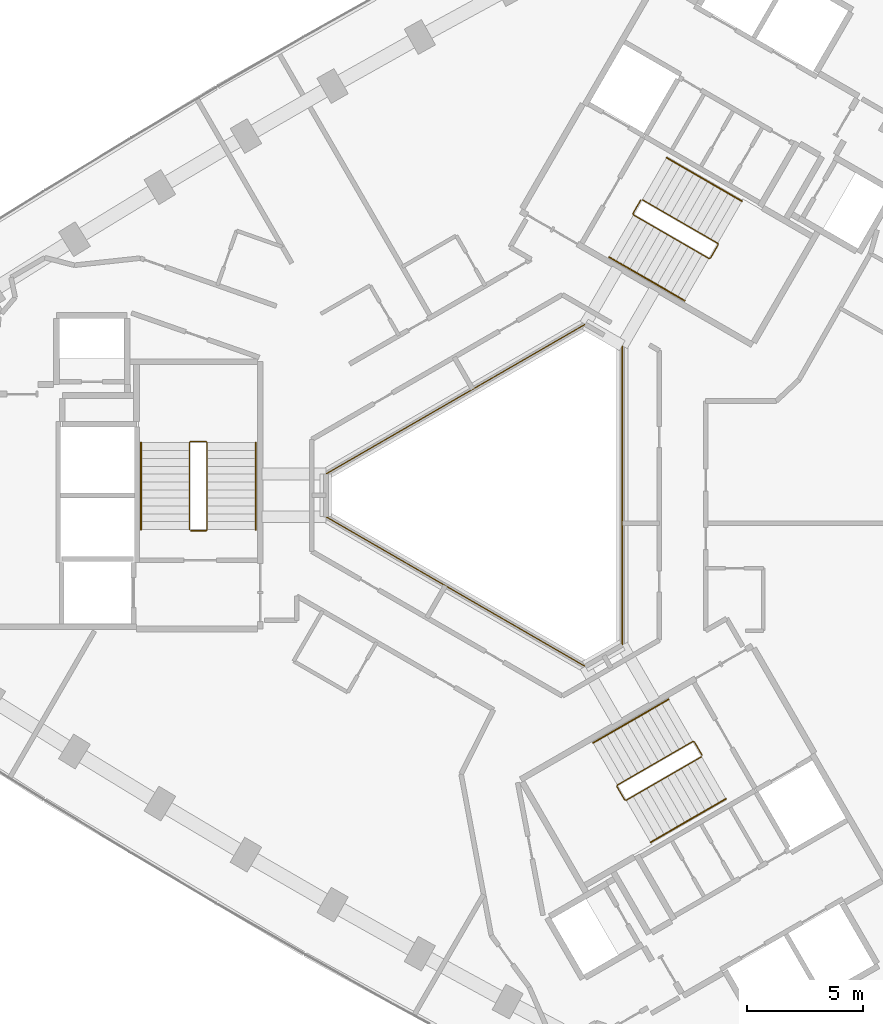
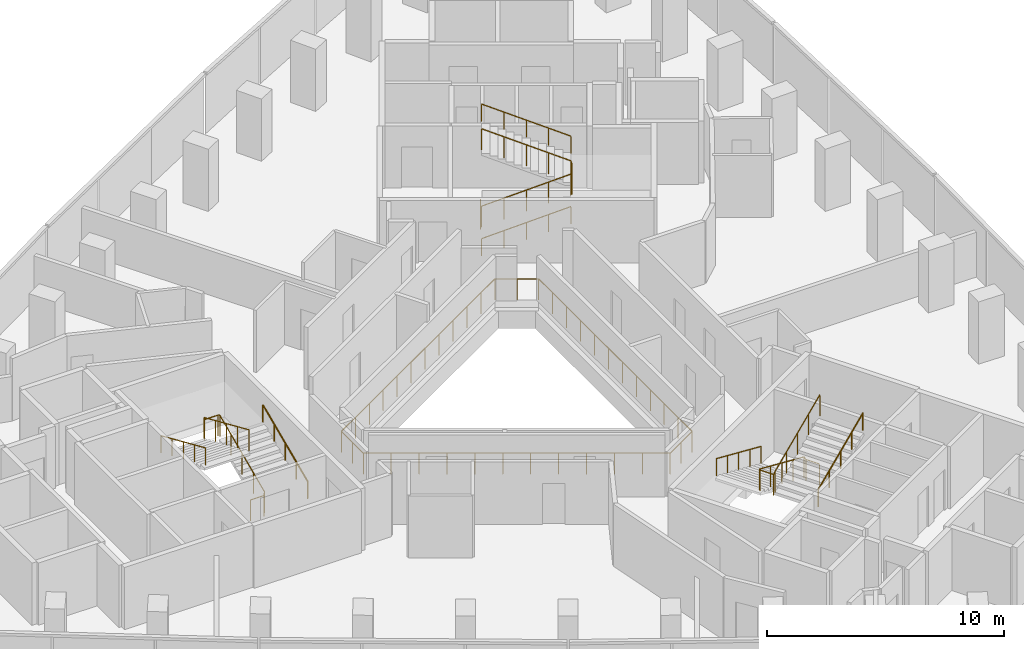
# One storey, part 12 of 12: 10 railings.
"""IFC4 building model written with IfcOpenShell, lengths in metres."""

from ifc_helpers import new_model, si_unit, direction, frame, origin, origin_2d, place, context, subcontext, project, spatial, circle, extrude, material, type_object, element, save


model = new_model("IFC4")

# Units and contexts
model_context = context("Model", 3, precision=1e-05, world=origin(), true_north=direction((0.0, 1.0)))
body_context = subcontext(model_context, "Body", "Model", "MODEL_VIEW")
ifc_project = project(units=[si_unit("LENGTHUNIT", "METRE"), si_unit("AREAUNIT", "SQUARE_METRE"), si_unit("VOLUMEUNIT", "CUBIC_METRE"), si_unit("PLANEANGLEUNIT", "RADIAN"), si_unit("MASSUNIT", "GRAM", prefix="KILO")], contexts=[model_context])

# Site, building, storey
site_placement = place(None, origin())
site = spatial("IfcSite", under=ifc_project, at=site_placement, CompositionType="ELEMENT")
building_placement = place(site_placement, origin())
building = spatial("IfcBuilding", under=site, at=building_placement, Name="Tamra Quay Hotel Tower", CompositionType="ELEMENT")
storey_placement = place(building_placement, frame((0.0, 0.0, 154.0)))
storey = spatial("IfcBuildingStorey", under=building, at=storey_placement, Name="L38", CompositionType="ELEMENT", Elevation=154.0)

# Railings
ifc_material_1 = material(Name="Guard atrium edge 1100")
railing_type_1 = type_object("IfcRailingType", Name="Guard atrium edge 1100", PredefinedType="GUARDRAIL", material=ifc_material_1)
railing_1_placement = place(storey_placement, frame((4.800048828125, -6.466064453125, 0.0)))
element("IfcRailing", 1, at=railing_1_placement, inside=storey, type_object=railing_type_1, Name="G-A", PredefinedType="GUARDRAIL", context=body_context, shape_type="SweptSolid", body=[
    extrude(circle(Radius=0.02392578125, at=origin_2d()), frame((0.0, 0.0, 1.076171875), z_axis=(-0.86602275259, -0.500004591975, 0.0), x_axis=(0.500004591975, -0.86602275259, 0.0)), (0.0, 0.0, 1.0), 1.84765625),
    extrude(circle(Radius=0.02392578125, at=origin_2d()), frame((-1.60009765625, -0.923828125, 1.076171875), z_axis=(-0.86604129137, 0.499972480886, 0.0), x_axis=(-0.499972480886, -0.86604129137, 0.0)), (0.0, 0.0, 1.0), 12.932373046875),
    extrude(circle(Radius=0.02392578125, at=origin_2d()), frame((-12.800048828125, 5.5419921875, 1.076171875), z_axis=(0.0, 1.0, 0.0), x_axis=(-1.0, 0.0, 0.0)), (0.0, 0.0, 1.0), 1.84814453125),
    extrude(circle(Radius=0.02392578125, at=origin_2d()), frame((-12.800048828125, 7.39013671875, 1.076171875), z_axis=(0.86604129137, 0.499972480886, 0.0), x_axis=(-0.499972480886, 0.86604129137, 0.0)), (0.0, 0.0, 1.0), 12.932373046875),
    extrude(circle(Radius=0.02392578125, at=origin_2d()), frame((-1.60009765625, 13.85595703125, 1.076171875), z_axis=(0.86602275259, -0.500004591975, 0.0), x_axis=(0.500004591975, 0.86602275259, 0.0)), (0.0, 0.0, 1.0), 1.84765625),
    extrude(circle(Radius=0.02392578125, at=origin_2d()), frame((0.0, 12.93212890625, 1.076171875), z_axis=(0.0, -1.0, 0.0), x_axis=(1.0, 0.0, 0.0)), (0.0, 0.0, 1.0), 12.93212890625),
    extrude(circle(Radius=0.02099609375, at=origin_2d()), origin(), (0.0, 0.0, 1.0), 1.052001953125),
    extrude(circle(Radius=0.02099609375, at=origin_2d()), frame((-0.800048828125, -0.4619140625, 0.0)), (0.0, 0.0, 1.0), 1.052001953125),
    extrude(circle(Radius=0.02099609375, at=origin_2d()), frame((-1.60009765625, -0.923828125, 0.0)), (0.0, 0.0, 1.0), 1.052001953125),
    extrude(circle(Radius=0.02099609375, at=origin_2d()), frame((-2.6181640625, -0.3359375, 0.0)), (0.0, 0.0, 1.0), 1.052001953125),
    extrude(circle(Radius=0.02099609375, at=origin_2d()), frame((-3.636474609375, 0.251708984375, 0.0)), (0.0, 0.0, 1.0), 1.052001953125),
    extrude(circle(Radius=0.02099609375, at=origin_2d()), frame((-4.654541015625, 0.839599609375, 0.0)), (0.0, 0.0, 1.0), 1.052001953125),
    extrude(circle(Radius=0.02099609375, at=origin_2d()), frame((-5.6728515625, 1.427490234375, 0.0)), (0.0, 0.0, 1.0), 1.052001953125),
    extrude(circle(Radius=0.02099609375, at=origin_2d()), frame((-6.69091796875, 2.01513671875, 0.0)), (0.0, 0.0, 1.0), 1.052001953125),
    extrude(circle(Radius=0.02099609375, at=origin_2d()), frame((-7.709228515625, 2.60302734375, 0.0)), (0.0, 0.0, 1.0), 1.052001953125),
    extrude(circle(Radius=0.02099609375, at=origin_2d()), frame((-8.727294921875, 3.190673828125, 0.0)), (0.0, 0.0, 1.0), 1.052001953125),
    extrude(circle(Radius=0.02099609375, at=origin_2d()), frame((-9.74560546875, 3.778564453125, 0.0)), (0.0, 0.0, 1.0), 1.052001953125),
    extrude(circle(Radius=0.02099609375, at=origin_2d()), frame((-10.763671875, 4.366455078125, 0.0)), (0.0, 0.0, 1.0), 1.052001953125),
    extrude(circle(Radius=0.02099609375, at=origin_2d()), frame((-11.781982421875, 4.9541015625, 0.0)), (0.0, 0.0, 1.0), 1.052001953125),
    extrude(circle(Radius=0.02099609375, at=origin_2d()), frame((-12.800048828125, 5.5419921875, 0.0)), (0.0, 0.0, 1.0), 1.052001953125),
    extrude(circle(Radius=0.02099609375, at=origin_2d()), frame((-12.800048828125, 6.466064453125, 0.0)), (0.0, 0.0, 1.0), 1.052001953125),
    extrude(circle(Radius=0.02099609375, at=origin_2d()), frame((-12.800048828125, 7.39013671875, 0.0)), (0.0, 0.0, 1.0), 1.052001953125),
    extrude(circle(Radius=0.02099609375, at=origin_2d()), frame((-11.781982421875, 7.97802734375, 0.0)), (0.0, 0.0, 1.0), 1.052001953125),
    extrude(circle(Radius=0.02099609375, at=origin_2d()), frame((-10.763671875, 8.565673828125, 0.0)), (0.0, 0.0, 1.0), 1.052001953125),
    extrude(circle(Radius=0.02099609375, at=origin_2d()), frame((-9.74560546875, 9.153564453125, 0.0)), (0.0, 0.0, 1.0), 1.052001953125),
    extrude(circle(Radius=0.02099609375, at=origin_2d()), frame((-8.727294921875, 9.741455078125, 0.0)), (0.0, 0.0, 1.0), 1.052001953125),
    extrude(circle(Radius=0.02099609375, at=origin_2d()), frame((-7.709228515625, 10.3291015625, 0.0)), (0.0, 0.0, 1.0), 1.052001953125),
    extrude(circle(Radius=0.02099609375, at=origin_2d()), frame((-6.69091796875, 10.9169921875, 0.0)), (0.0, 0.0, 1.0), 1.052001953125),
    extrude(circle(Radius=0.02099609375, at=origin_2d()), frame((-5.6728515625, 11.504638671875, 0.0)), (0.0, 0.0, 1.0), 1.052001953125),
    extrude(circle(Radius=0.02099609375, at=origin_2d()), frame((-4.654541015625, 12.092529296875, 0.0)), (0.0, 0.0, 1.0), 1.052001953125),
    extrude(circle(Radius=0.02099609375, at=origin_2d()), frame((-3.636474609375, 12.680419921875, 0.0)), (0.0, 0.0, 1.0), 1.052001953125),
    extrude(circle(Radius=0.02099609375, at=origin_2d()), frame((-2.6181640625, 13.26806640625, 0.0)), (0.0, 0.0, 1.0), 1.052001953125),
    extrude(circle(Radius=0.02099609375, at=origin_2d()), frame((-1.60009765625, 13.85595703125, 0.0)), (0.0, 0.0, 1.0), 1.052001953125),
    extrude(circle(Radius=0.02099609375, at=origin_2d()), frame((-0.800048828125, 13.39404296875, 0.0)), (0.0, 0.0, 1.0), 1.052001953125),
    extrude(circle(Radius=0.02099609375, at=origin_2d()), frame((0.0, 12.93212890625, 0.0)), (0.0, 0.0, 1.0), 1.052001953125),
    extrude(circle(Radius=0.02099609375, at=origin_2d()), frame((0.0, 11.756591796875, 0.0)), (0.0, 0.0, 1.0), 1.052001953125),
    extrude(circle(Radius=0.02099609375, at=origin_2d()), frame((0.0, 10.580810546875, 0.0)), (0.0, 0.0, 1.0), 1.052001953125),
    extrude(circle(Radius=0.02099609375, at=origin_2d()), frame((0.0, 9.4052734375, 0.0)), (0.0, 0.0, 1.0), 1.052001953125),
    extrude(circle(Radius=0.02099609375, at=origin_2d()), frame((0.0, 8.2294921875, 0.0)), (0.0, 0.0, 1.0), 1.052001953125),
    extrude(circle(Radius=0.02099609375, at=origin_2d()), frame((0.0, 7.053955078125, 0.0)), (0.0, 0.0, 1.0), 1.052001953125),
    extrude(circle(Radius=0.02099609375, at=origin_2d()), frame((0.0, 5.878173828125, 0.0)), (0.0, 0.0, 1.0), 1.052001953125),
    extrude(circle(Radius=0.02099609375, at=origin_2d()), frame((0.0, 4.70263671875, 0.0)), (0.0, 0.0, 1.0), 1.052001953125),
    extrude(circle(Radius=0.02099609375, at=origin_2d()), frame((0.0, 3.52685546875, 0.0)), (0.0, 0.0, 1.0), 1.052001953125),
    extrude(circle(Radius=0.02099609375, at=origin_2d()), frame((0.0, 2.351318359375, 0.0)), (0.0, 0.0, 1.0), 1.052001953125),
    extrude(circle(Radius=0.02099609375, at=origin_2d()), frame((0.0, 1.175537109375, 0.0)), (0.0, 0.0, 1.0), 1.052001953125),
])
ifc_material_2 = material(Name="Stair guard 1100")
railing_type_2 = type_object("IfcRailingType", Name="Stair guard 1100", PredefinedType="GUARDRAIL", material=ifc_material_2)
railing_2_placement = place(storey_placement, frame((-13.84130859375, -1.530029296875, 0.0)))
element("IfcRailing", 2, at=railing_2_placement, inside=storey, type_object=railing_type_2, Name="GR", PredefinedType="GUARDRAIL", context=body_context, shape_type="SweptSolid", body=[
    extrude(circle(Radius=0.02392578125, at=origin_2d()), frame((0.0, 0.0, 1.076171875), z_axis=(1.0, 0.0, 0.0), x_axis=(0.0, 1.0, 0.0)), (0.0, 0.0, 1.0), 0.658935546875),
    extrude(circle(Radius=0.02392578125, at=origin_2d()), frame((0.658935546875, 0.0, 1.076171875), z_axis=(0.301912943143, 0.301912943143, 0.904266083366), x_axis=(-0.707106781187, 0.707106781187, 0.0)), (0.0, 0.0, 1.0), 0.165771484375),
    extrude(circle(Radius=0.02392578125, at=origin_2d()), frame((0.708984375, 0.050048828125, 1.22607421875), z_axis=(0.0, 0.915773634228, 0.401694723457), x_axis=(-1.0, 0.0, 0.0)), (0.0, 0.0, 1.0), 4.10791015625),
    extrude(circle(Radius=0.02392578125, at=origin_2d()), frame((0.708984375, 3.81201171875, 2.8759765625), z_axis=(-0.708833529934, 0.705375805398, 0.0), x_axis=(-0.705375805398, -0.708833529934, 0.0)), (0.0, 0.0, 1.0), 0.070556640625),
    extrude(circle(Radius=0.02392578125, at=origin_2d()), frame((0.658935546875, 3.86181640625, 2.8759765625), z_axis=(-1.0, 0.0, 0.0), x_axis=(0.0, -1.0, 0.0)), (0.0, 0.0, 1.0), 0.658935546875),
    extrude(circle(Radius=0.02392578125, at=origin_2d()), frame((0.0, 3.86181640625, 2.8759765625), z_axis=(-0.302046947789, -0.300573548044, 0.904667443621), x_axis=(0.705375805398, -0.708833529934, 0.0)), (0.0, 0.0, 1.0), 0.165771484375),
    extrude(circle(Radius=0.02392578125, at=origin_2d()), frame((-0.050048828125, 3.81201171875, 3.02587890625), z_axis=(0.0, -0.915773634228, 0.401694723457), x_axis=(1.0, 0.0, 0.0)), (0.0, 0.0, 1.0), 4.10791015625),
    extrude(circle(Radius=0.02099609375, at=origin_2d()), origin(), (0.0, 0.0, 1.0), 1.052001953125),
    extrude(circle(Radius=0.02099609375, at=origin_2d()), frame((0.658935546875, 0.0, 0.0)), (0.0, 0.0, 1.0), 1.052001953125),
    extrude(circle(Radius=0.02099609375, at=origin_2d()), frame((0.708984375, 0.050048828125, 0.14990234375)), (0.0, 0.0, 1.0), 1.052001953125),
    extrude(circle(Radius=0.02099609375, at=origin_2d()), frame((0.708984375, 0.990478515625, 0.5625)), (0.0, 0.0, 1.0), 1.052001953125),
    extrude(circle(Radius=0.02099609375, at=origin_2d()), frame((0.708984375, 1.93115234375, 0.97509765625)), (0.0, 0.0, 1.0), 1.052001953125),
    extrude(circle(Radius=0.02099609375, at=origin_2d()), frame((0.708984375, 2.87158203125, 1.387451171875)), (0.0, 0.0, 1.0), 1.052001953125),
    extrude(circle(Radius=0.02099609375, at=origin_2d()), frame((0.708984375, 3.81201171875, 1.800048828125)), (0.0, 0.0, 1.0), 1.052001953125),
    extrude(circle(Radius=0.02099609375, at=origin_2d()), frame((0.658935546875, 3.86181640625, 1.800048828125)), (0.0, 0.0, 1.0), 1.052001953125),
    extrude(circle(Radius=0.02099609375, at=origin_2d()), frame((0.0, 3.86181640625, 1.800048828125)), (0.0, 0.0, 1.0), 1.052001953125),
    extrude(circle(Radius=0.02099609375, at=origin_2d()), frame((-0.050048828125, 3.81201171875, 1.949951171875)), (0.0, 0.0, 1.0), 1.052001953125),
    extrude(circle(Radius=0.02099609375, at=origin_2d()), frame((-0.050048828125, 2.87158203125, 2.362548828125)), (0.0, 0.0, 1.0), 1.052001953125),
    extrude(circle(Radius=0.02099609375, at=origin_2d()), frame((-0.050048828125, 1.93115234375, 2.77490234375)), (0.0, 0.0, 1.0), 1.052001953125),
    extrude(circle(Radius=0.02099609375, at=origin_2d()), frame((-0.050048828125, 0.990478515625, 3.1875)), (0.0, 0.0, 1.0), 1.052001953125),
    extrude(circle(Radius=0.02099609375, at=origin_2d()), frame((-0.050048828125, 0.050048828125, 3.60009765625)), (0.0, 0.0, 1.0), 1.052001953125),
])
railing_3_placement = place(storey_placement, frame((5.595458984375, 12.751953125, 0.0)))
element("IfcRailing", 3, at=railing_3_placement, inside=storey, type_object=railing_type_2, Name="GR", PredefinedType="GUARDRAIL", context=body_context, shape_type="SweptSolid", body=[
    extrude(circle(Radius=0.02392578125, at=origin_2d()), frame((0.0, 0.0, 1.076171875), z_axis=(-0.499765215335, -0.866160914346, 0.0), x_axis=(0.866160914346, -0.499765215335, 0.0)), (0.0, 0.0, 1.0), 0.658935546875),
    extrude(circle(Radius=0.02392578125, at=origin_2d()), frame((-0.329345703125, -0.57080078125, 1.076171875), z_axis=(0.110525977783, -0.411156637351, 0.904839338113), x_axis=(0.965715946433, 0.259601060869, 0.0)), (0.0, 0.0, 1.0), 0.165771484375),
    extrude(circle(Radius=0.02392578125, at=origin_2d()), frame((-0.31103515625, -0.638916015625, 1.22607421875), z_axis=(0.79305953016, -0.457922937641, 0.401700342053), x_axis=(0.500040788363, 0.866001853331, 0.0)), (0.0, 0.0, 1.0), 4.10791015625),
    extrude(circle(Radius=0.02392578125, at=origin_2d()), frame((2.94677734375, -2.52001953125, 2.8759765625), z_axis=(0.965948051503, 0.258736085224, 0.0), x_axis=(-0.258736085224, 0.965948051503, 0.0)), (0.0, 0.0, 1.0), 0.07080078125),
    extrude(circle(Radius=0.02392578125, at=origin_2d()), frame((3.01513671875, -2.501708984375, 2.8759765625), z_axis=(0.500043078269, 0.866000531106, 0.0), x_axis=(-0.866000531106, 0.500043078269, 0.0)), (0.0, 0.0, 1.0), 0.6591796875),
    extrude(circle(Radius=0.02392578125, at=origin_2d()), frame((3.3447265625, -1.930908203125, 2.8759765625), z_axis=(-0.110525977783, 0.411156637351, 0.904839338113), x_axis=(-0.965715946433, -0.259601060869, 0.0)), (0.0, 0.0, 1.0), 0.165771484375),
    extrude(circle(Radius=0.02392578125, at=origin_2d()), frame((3.326416015625, -1.86279296875, 3.02587890625), z_axis=(-0.793081581205, 0.457901355053, 0.401681409319), x_axis=(-0.500012686397, -0.866018079166, 0.0)), (0.0, 0.0, 1.0), 4.108154296875),
    extrude(circle(Radius=0.02099609375, at=origin_2d()), origin(), (0.0, 0.0, 1.0), 1.052001953125),
    extrude(circle(Radius=0.02099609375, at=origin_2d()), frame((-0.329345703125, -0.57080078125, 0.0)), (0.0, 0.0, 1.0), 1.052001953125),
    extrude(circle(Radius=0.02099609375, at=origin_2d()), frame((-0.31103515625, -0.638916015625, 0.14990234375)), (0.0, 0.0, 1.0), 1.052001953125),
    extrude(circle(Radius=0.02099609375, at=origin_2d()), frame((0.50341796875, -1.109130859375, 0.5625)), (0.0, 0.0, 1.0), 1.052001953125),
    extrude(circle(Radius=0.02099609375, at=origin_2d()), frame((1.31787109375, -1.57958984375, 0.97509765625)), (0.0, 0.0, 1.0), 1.052001953125),
    extrude(circle(Radius=0.02099609375, at=origin_2d()), frame((2.13232421875, -2.0498046875, 1.387451171875)), (0.0, 0.0, 1.0), 1.052001953125),
    extrude(circle(Radius=0.02099609375, at=origin_2d()), frame((2.94677734375, -2.52001953125, 1.800048828125)), (0.0, 0.0, 1.0), 1.052001953125),
    extrude(circle(Radius=0.02099609375, at=origin_2d()), frame((3.01513671875, -2.501708984375, 1.800048828125)), (0.0, 0.0, 1.0), 1.052001953125),
    extrude(circle(Radius=0.02099609375, at=origin_2d()), frame((3.3447265625, -1.930908203125, 1.800048828125)), (0.0, 0.0, 1.0), 1.052001953125),
    extrude(circle(Radius=0.02099609375, at=origin_2d()), frame((3.326416015625, -1.86279296875, 1.949951171875)), (0.0, 0.0, 1.0), 1.052001953125),
    extrude(circle(Radius=0.02099609375, at=origin_2d()), frame((2.511962890625, -1.392578125, 2.362548828125)), (0.0, 0.0, 1.0), 1.052001953125),
    extrude(circle(Radius=0.02099609375, at=origin_2d()), frame((1.697265625, -0.92236328125, 2.77490234375)), (0.0, 0.0, 1.0), 1.052001953125),
    extrude(circle(Radius=0.02099609375, at=origin_2d()), frame((0.8828125, -0.451904296875, 3.1875)), (0.0, 0.0, 1.0), 1.052001953125),
    extrude(circle(Radius=0.02099609375, at=origin_2d()), frame((0.068359375, 0.018310546875, 3.60009765625)), (0.0, 0.0, 1.0), 1.052001953125),
])
railing_4_placement = place(storey_placement, frame((8.245849609375, -11.221923828125, 0.0)))
element("IfcRailing", 4, at=railing_4_placement, inside=storey, type_object=railing_type_2, Name="GR", PredefinedType="GUARDRAIL", context=body_context, shape_type="SweptSolid", body=[
    extrude(circle(Radius=0.02392578125, at=origin_2d()), frame((0.0, 0.0, 1.076171875), z_axis=(-0.500043078269, 0.866000531106, 0.0), x_axis=(-0.866000531106, -0.500043078269, 0.0)), (0.0, 0.0, 1.0), 0.6591796875),
    extrude(circle(Radius=0.02392578125, at=origin_2d()), frame((-0.32958984375, 0.57080078125, 1.076171875), z_axis=(-0.41238007866, 0.110458949641, 0.904290601062), x_axis=(-0.258736085224, -0.965948051503, 0.0)), (0.0, 0.0, 1.0), 0.165771484375),
    extrude(circle(Radius=0.02392578125, at=origin_2d()), frame((-0.39794921875, 0.589111328125, 1.22607421875), z_axis=(-0.793081581205, -0.457901355053, 0.401681409319), x_axis=(0.500012686397, -0.866018079166, 0.0)), (0.0, 0.0, 1.0), 4.108154296875),
    extrude(circle(Radius=0.02392578125, at=origin_2d()), frame((-3.656005859375, -1.2919921875, 2.8759765625), z_axis=(-0.256368644879, -0.966579080015, 0.0), x_axis=(0.966579080015, -0.256368644879, 0.0)), (0.0, 0.0, 1.0), 0.070556640625),
    extrude(circle(Radius=0.02392578125, at=origin_2d()), frame((-3.674072265625, -1.360107421875, 2.8759765625), z_axis=(0.499765215335, -0.866160914346, 0.0), x_axis=(0.866160914346, 0.499765215335, 0.0)), (0.0, 0.0, 1.0), 0.658935546875),
    extrude(circle(Radius=0.02392578125, at=origin_2d()), frame((-3.3447265625, -1.930908203125, 2.8759765625), z_axis=(0.41238007866, -0.110458949641, 0.904290601062), x_axis=(0.258736085224, 0.965948051503, 0.0)), (0.0, 0.0, 1.0), 0.165771484375),
    extrude(circle(Radius=0.02392578125, at=origin_2d()), frame((-3.2763671875, -1.94921875, 3.02587890625), z_axis=(0.793081581205, 0.457901355053, 0.401681409319), x_axis=(-0.500012686397, 0.866018079166, 0.0)), (0.0, 0.0, 1.0), 4.108154296875),
    extrude(circle(Radius=0.02099609375, at=origin_2d()), origin(), (0.0, 0.0, 1.0), 1.052001953125),
    extrude(circle(Radius=0.02099609375, at=origin_2d()), frame((-0.32958984375, 0.57080078125, 0.0)), (0.0, 0.0, 1.0), 1.052001953125),
    extrude(circle(Radius=0.02099609375, at=origin_2d()), frame((-0.39794921875, 0.589111328125, 0.14990234375)), (0.0, 0.0, 1.0), 1.052001953125),
    extrude(circle(Radius=0.02099609375, at=origin_2d()), frame((-1.21240234375, 0.118896484375, 0.5625)), (0.0, 0.0, 1.0), 1.052001953125),
    extrude(circle(Radius=0.02099609375, at=origin_2d()), frame((-2.02685546875, -0.3515625, 0.97509765625)), (0.0, 0.0, 1.0), 1.052001953125),
    extrude(circle(Radius=0.02099609375, at=origin_2d()), frame((-2.841552734375, -0.82177734375, 1.387451171875)), (0.0, 0.0, 1.0), 1.052001953125),
    extrude(circle(Radius=0.02099609375, at=origin_2d()), frame((-3.656005859375, -1.2919921875, 1.800048828125)), (0.0, 0.0, 1.0), 1.052001953125),
    extrude(circle(Radius=0.02099609375, at=origin_2d()), frame((-3.674072265625, -1.360107421875, 1.800048828125)), (0.0, 0.0, 1.0), 1.052001953125),
    extrude(circle(Radius=0.02099609375, at=origin_2d()), frame((-3.3447265625, -1.930908203125, 1.800048828125)), (0.0, 0.0, 1.0), 1.052001953125),
    extrude(circle(Radius=0.02099609375, at=origin_2d()), frame((-3.2763671875, -1.94921875, 1.949951171875)), (0.0, 0.0, 1.0), 1.052001953125),
    extrude(circle(Radius=0.02099609375, at=origin_2d()), frame((-2.4619140625, -1.47900390625, 2.362548828125)), (0.0, 0.0, 1.0), 1.052001953125),
    extrude(circle(Radius=0.02099609375, at=origin_2d()), frame((-1.6474609375, -1.0087890625, 2.77490234375)), (0.0, 0.0, 1.0), 1.052001953125),
    extrude(circle(Radius=0.02099609375, at=origin_2d()), frame((-0.832763671875, -0.538330078125, 3.1875)), (0.0, 0.0, 1.0), 1.052001953125),
    extrude(circle(Radius=0.02099609375, at=origin_2d()), frame((-0.018310546875, -0.068115234375, 3.60009765625)), (0.0, 0.0, 1.0), 1.052001953125),
])
ifc_material_3 = material(Name="Stair handrail 900")
railing_type_3 = type_object("IfcRailingType", Name="Stair handrail 900", PredefinedType="HANDRAIL", material=ifc_material_3)
railing_5_placement = place(storey_placement, frame((-11.0322265625, -1.47998046875, 0.14990234375)))
element("IfcRailing", 5, at=railing_5_placement, inside=storey, type_object=railing_type_3, Name="HR", PredefinedType="HANDRAIL", context=body_context, shape_type="SweptSolid", body=[
    extrude(circle(Radius=0.02392578125, at=origin_2d()), frame((0.0, 0.0, 0.8759765625), z_axis=(0.0, 0.915773634228, 0.401694723457), x_axis=(-1.0, 0.0, 0.0)), (0.0, 0.0, 1.0), 4.10791015625),
    extrude(circle(Radius=0.02099609375, at=origin_2d()), origin(), (0.0, 0.0, 1.0), 0.851806640625),
    extrude(circle(Radius=0.02099609375, at=origin_2d()), frame((0.0, 0.9404296875, 0.41259765625)), (0.0, 0.0, 1.0), 0.851806640625),
    extrude(circle(Radius=0.02099609375, at=origin_2d()), frame((0.0, 1.880859375, 0.8251953125)), (0.0, 0.0, 1.0), 0.851806640625),
    extrude(circle(Radius=0.02099609375, at=origin_2d()), frame((0.0, 2.821533203125, 1.237548828125)), (0.0, 0.0, 1.0), 0.851806640625),
    extrude(circle(Radius=0.02099609375, at=origin_2d()), frame((0.0, 3.761962890625, 1.650146484375)), (0.0, 0.0, 1.0), 0.851806640625),
])
railing_6_placement = place(storey_placement, frame((-15.9912109375, 2.281982421875, 1.949951171875)))
element("IfcRailing", 6, at=railing_6_placement, inside=storey, type_object=railing_type_3, Name="HR", PredefinedType="HANDRAIL", context=body_context, shape_type="SweptSolid", body=[
    extrude(circle(Radius=0.02392578125, at=origin_2d()), frame((0.0, 0.0, 0.8759765625), z_axis=(0.0, -0.915773634228, 0.401694723457), x_axis=(1.0, 0.0, 0.0)), (0.0, 0.0, 1.0), 4.10791015625),
    extrude(circle(Radius=0.02099609375, at=origin_2d()), origin(), (0.0, 0.0, 1.0), 0.851806640625),
    extrude(circle(Radius=0.02099609375, at=origin_2d()), frame((0.0, -0.9404296875, 0.41259765625)), (0.0, 0.0, 1.0), 0.851806640625),
    extrude(circle(Radius=0.02099609375, at=origin_2d()), frame((0.0, -1.880859375, 0.8251953125)), (0.0, 0.0, 1.0), 0.851806640625),
    extrude(circle(Radius=0.02099609375, at=origin_2d()), frame((0.0, -2.821533203125, 1.237548828125)), (0.0, 0.0, 1.0), 0.851806640625),
    extrude(circle(Radius=0.02099609375, at=origin_2d()), frame((0.0, -3.761962890625, 1.650146484375)), (0.0, 0.0, 1.0), 0.851806640625),
])
railing_7_placement = place(storey_placement, frame((4.234375, 10.294189453125, 0.14990234375)))
element("IfcRailing", 7, at=railing_7_placement, inside=storey, type_object=railing_type_3, Name="HR", PredefinedType="HANDRAIL", context=body_context, shape_type="SweptSolid", body=[
    extrude(circle(Radius=0.02392578125, at=origin_2d()), frame((0.0, 0.0, 0.8759765625), z_axis=(0.793103162556, -0.457854384738, 0.401692339881), x_axis=(0.499964013922, 0.86604617936, 0.0)), (0.0, 0.0, 1.0), 4.10791015625),
    extrude(circle(Radius=0.02099609375, at=origin_2d()), origin(), (0.0, 0.0, 1.0), 0.851806640625),
    extrude(circle(Radius=0.02099609375, at=origin_2d()), frame((0.814453125, -0.47021484375, 0.41259765625)), (0.0, 0.0, 1.0), 0.851806640625),
    extrude(circle(Radius=0.02099609375, at=origin_2d()), frame((1.62890625, -0.9404296875, 0.8251953125)), (0.0, 0.0, 1.0), 0.851806640625),
    extrude(circle(Radius=0.02099609375, at=origin_2d()), frame((2.443603515625, -1.41064453125, 1.237548828125)), (0.0, 0.0, 1.0), 0.851806640625),
    extrude(circle(Radius=0.02099609375, at=origin_2d()), frame((3.258056640625, -1.880859375, 1.650146484375)), (0.0, 0.0, 1.0), 0.851806640625),
])
railing_8_placement = place(storey_placement, frame((9.971923828125, 12.7080078125, 1.949951171875)))
element("IfcRailing", 8, at=railing_8_placement, inside=storey, type_object=railing_type_3, Name="HR", PredefinedType="HANDRAIL", context=body_context, shape_type="SweptSolid", body=[
    extrude(circle(Radius=0.02392578125, at=origin_2d()), frame((0.0, 0.0, 0.8759765625), z_axis=(-0.793103162556, 0.457854384738, 0.401692339881), x_axis=(-0.499964013922, -0.86604617936, 0.0)), (0.0, 0.0, 1.0), 4.10791015625),
    extrude(circle(Radius=0.02099609375, at=origin_2d()), origin(), (0.0, 0.0, 1.0), 0.851806640625),
    extrude(circle(Radius=0.02099609375, at=origin_2d()), frame((-0.814453125, 0.47021484375, 0.41259765625)), (0.0, 0.0, 1.0), 0.851806640625),
    extrude(circle(Radius=0.02099609375, at=origin_2d()), frame((-1.62890625, 0.9404296875, 0.8251953125)), (0.0, 0.0, 1.0), 0.851806640625),
    extrude(circle(Radius=0.02099609375, at=origin_2d()), frame((-2.443603515625, 1.41064453125, 1.237548828125)), (0.0, 0.0, 1.0), 0.851806640625),
    extrude(circle(Radius=0.02099609375, at=origin_2d()), frame((-3.258056640625, 1.880859375, 1.650146484375)), (0.0, 0.0, 1.0), 0.851806640625),
])
railing_9_placement = place(storey_placement, frame((6.7978515625, -8.814208984375, 0.14990234375)))
element("IfcRailing", 9, at=railing_9_placement, inside=storey, type_object=railing_type_3, Name="HR", PredefinedType="HANDRAIL", context=body_context, shape_type="SweptSolid", body=[
    extrude(circle(Radius=0.02392578125, at=origin_2d()), frame((0.0, 0.0, 0.8759765625), z_axis=(-0.793081112945, -0.457875966286, 0.40171127416), x_axis=(0.499992114976, -0.866029956157, 0.0)), (0.0, 0.0, 1.0), 4.10791015625),
    extrude(circle(Radius=0.02099609375, at=origin_2d()), origin(), (0.0, 0.0, 1.0), 0.851806640625),
    extrude(circle(Radius=0.02099609375, at=origin_2d()), frame((-0.814453125, -0.47021484375, 0.41259765625)), (0.0, 0.0, 1.0), 0.851806640625),
    extrude(circle(Radius=0.02099609375, at=origin_2d()), frame((-1.62890625, -0.9404296875, 0.8251953125)), (0.0, 0.0, 1.0), 0.851806640625),
    extrude(circle(Radius=0.02099609375, at=origin_2d()), frame((-2.443359375, -1.41064453125, 1.237548828125)), (0.0, 0.0, 1.0), 0.851806640625),
    extrude(circle(Radius=0.02099609375, at=origin_2d()), frame((-3.2578125, -1.880859375, 1.650146484375)), (0.0, 0.0, 1.0), 0.851806640625),
])
railing_10_placement = place(storey_placement, frame((6.01953125, -14.98974609375, 1.949951171875)))
element("IfcRailing", 10, at=railing_10_placement, inside=storey, type_object=railing_type_3, Name="HR", PredefinedType="HANDRAIL", context=body_context, shape_type="SweptSolid", body=[
    extrude(circle(Radius=0.02392578125, at=origin_2d()), frame((0.0, 0.0, 0.8759765625), z_axis=(0.793081112945, 0.457875966286, 0.40171127416), x_axis=(-0.499992114976, 0.866029956157, 0.0)), (0.0, 0.0, 1.0), 4.10791015625),
    extrude(circle(Radius=0.02099609375, at=origin_2d()), origin(), (0.0, 0.0, 1.0), 0.851806640625),
    extrude(circle(Radius=0.02099609375, at=origin_2d()), frame((0.814453125, 0.47021484375, 0.41259765625)), (0.0, 0.0, 1.0), 0.851806640625),
    extrude(circle(Radius=0.02099609375, at=origin_2d()), frame((1.62890625, 0.9404296875, 0.8251953125)), (0.0, 0.0, 1.0), 0.851806640625),
    extrude(circle(Radius=0.02099609375, at=origin_2d()), frame((2.443359375, 1.41064453125, 1.237548828125)), (0.0, 0.0, 1.0), 0.851806640625),
    extrude(circle(Radius=0.02099609375, at=origin_2d()), frame((3.2578125, 1.880859375, 1.650146484375)), (0.0, 0.0, 1.0), 0.851806640625),
])

save(model, "model.ifc")
